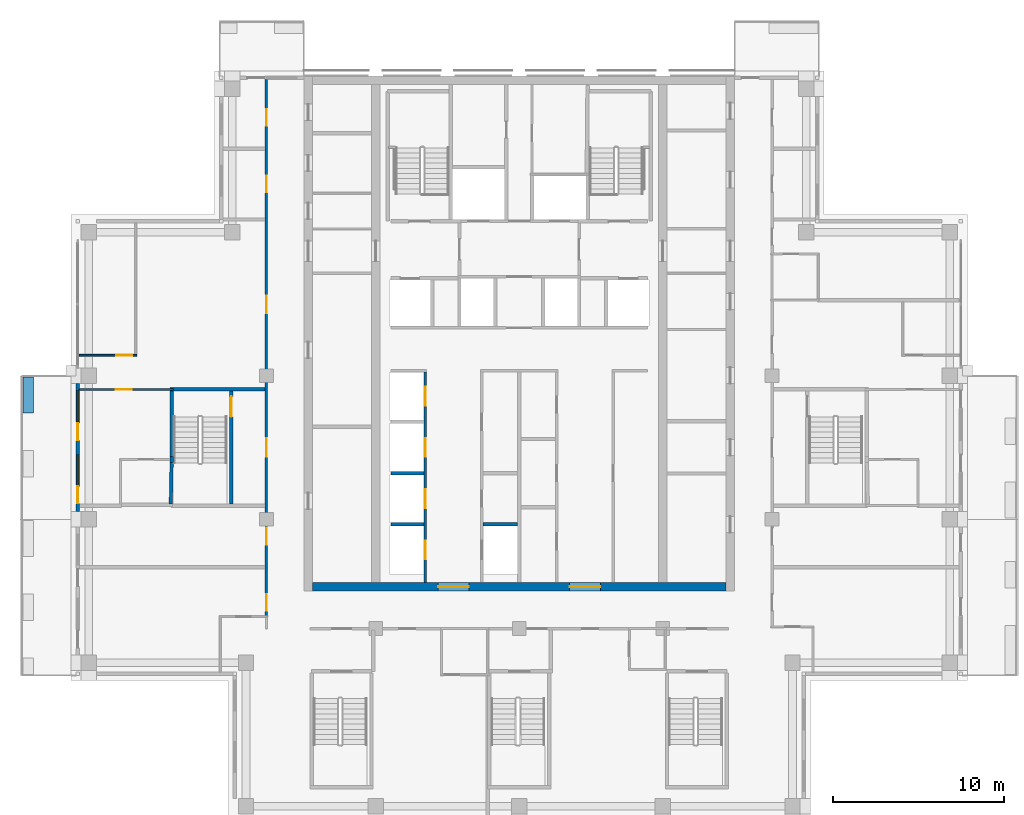
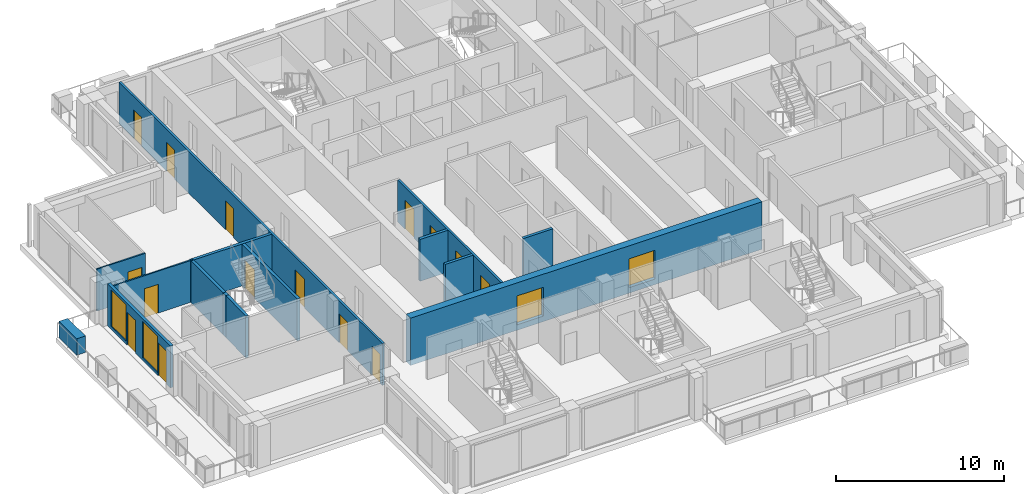
# One storey, part 9 of 17: 17 doors, 15 walls, 2 windows, 19 openings.
"""IFC4 building model written with IfcOpenShell, lengths in metres."""

from ifc_helpers import new_model, si_unit, direction, frame, frame_2d, origin, place, context, subcontext, project, spatial, rectangle, extrude, material, layer, layer_set, type_object, element, fill, save


model = new_model("IFC4")

# Units and contexts
model_context = context("Model", 3, precision=1e-05, world=origin(), true_north=direction((0.0, 1.0)))
body_context = subcontext(model_context, "Body", "Model", "MODEL_VIEW")
ifc_project = project(units=[si_unit("LENGTHUNIT", "METRE"), si_unit("AREAUNIT", "SQUARE_METRE"), si_unit("VOLUMEUNIT", "CUBIC_METRE"), si_unit("PLANEANGLEUNIT", "RADIAN"), si_unit("MASSUNIT", "GRAM", prefix="KILO")], contexts=[model_context])

# Site, building, storey
site_placement = place(None, origin())
site = spatial("IfcSite", under=ifc_project, at=site_placement, CompositionType="ELEMENT")
building_placement = place(site_placement, origin())
building = spatial("IfcBuilding", under=site, at=building_placement, Name="Vermilion Ogive Tower", CompositionType="ELEMENT")
storey_placement = place(building_placement, frame((0.0, 0.0, 244.14990234375)))
storey = spatial("IfcBuildingStorey", under=building, at=storey_placement, Name="L64", CompositionType="ELEMENT", Elevation=244.14990234375)

# Wall, openings, doors
ifc_material_1 = material(Name="Concrete B60", Category="concrete")
ifc_layer_1 = layer(ifc_material_1, 0.5)
ifc_layer_set_1 = layer_set([ifc_layer_1], Name="Core wall 500 B60")
wall_type_1 = type_object("IfcWallType", Name="Core wall 500 B60", PredefinedType="SHEAR", material=ifc_layer_set_1)
wall_1_placement = place(storey_placement, frame((-12.10009765625, -8.14990234375, -0.39990234375), z_axis=(0.0, 0.0, 1.0), x_axis=(1.0, 0.0, 0.0)))
wall_1 = element("IfcWall", 1, at=wall_1_placement, inside=storey, type_object=wall_type_1, Name="L64-CORE-S", PredefinedType="SHEAR", context=body_context, shape_type="SweptSolid", body=[
    extrude(rectangle(XDim=24.2001953125, YDim=0.5, at=frame_2d((12.10009765625, 0.0))), origin(), (0.0, 0.0, 1.0), 3.449951171875),
])
opening_1_placement = place(wall_1_placement, frame((7.35009765625, 0.0, 0.39990234375)))
opening_1 = element("IfcOpeningElement", 2, at=opening_1_placement, cuts=wall_1, Name="Opening DAH051", PredefinedType="OPENING", context=body_context, shape_type="SweptSolid", body=[
    extrude(rectangle(XDim=1.800048828125, YDim=2.10009765625, at=frame_2d((0.89990234375, 1.050048828125))), frame((0.0, 0.260009765625, 0.0), z_axis=(0.0, -1.0, 0.0), x_axis=(1.0, 0.0, 0.0)), (0.0, 0.0, 1.0), 0.52001953125),
])
opening_2_placement = place(wall_1_placement, frame((15.050048828125, 0.0, 0.39990234375)))
opening_2 = element("IfcOpeningElement", 3, at=opening_2_placement, cuts=wall_1, Name="Opening DAH052", PredefinedType="OPENING", context=body_context, shape_type="SweptSolid", body=[
    extrude(rectangle(XDim=1.800048828125, YDim=2.10009765625, at=frame_2d((0.89990234375, 1.050048828125))), frame((0.0, 0.260009765625, 0.0), z_axis=(0.0, -1.0, 0.0), x_axis=(1.0, 0.0, 0.0)), (0.0, 0.0, 1.0), 0.52001953125),
])
ifc_material_2 = material(Name="Timber door leaf", Category="wood")
door_type_1 = type_object("IfcDoorType", Name="Core entry door 1800 x 2100 FD60S", OperationType="DOUBLE_DOOR_SINGLE_SWING", PredefinedType="DOOR", material=ifc_material_2)
door_1_placement = place(opening_1_placement, origin())
door_1 = element("IfcDoor", 4, at=door_1_placement, inside=storey, type_object=door_type_1, Name="L64-CK-XD1", OperationType="SINGLE_SWING_LEFT", OverallHeight=2.10009765625, OverallWidth=1.800048828125, PredefinedType="DOOR", context=body_context, shape_type="SweptSolid", body=[
    extrude(rectangle(XDim=1.800048828125, YDim=2.10009765625, at=frame_2d((0.89990234375, 1.050048828125))), frame((0.0, 0.02490234375, 0.0), z_axis=(0.0, -1.0, 0.0), x_axis=(1.0, 0.0, 0.0)), (0.0, 0.0, 1.0), 0.050048828125),
])
fill(opening_1, door_1)
door_2_placement = place(opening_2_placement, origin())
door_2 = element("IfcDoor", 5, at=door_2_placement, inside=storey, type_object=door_type_1, Name="L64-CK-XD2", OperationType="SINGLE_SWING_LEFT", OverallHeight=2.10009765625, OverallWidth=1.800048828125, PredefinedType="DOOR", context=body_context, shape_type="SweptSolid", body=[
    extrude(rectangle(XDim=1.800048828125, YDim=2.10009765625, at=frame_2d((0.89990234375, 1.050048828125))), frame((0.0, 0.02490234375, 0.0), z_axis=(0.0, -1.0, 0.0), x_axis=(1.0, 0.0, 0.0)), (0.0, 0.0, 1.0), 0.050048828125),
])
fill(opening_2, door_2)

# Wall, opening, door
ifc_material_3 = material(Name="Gypsum board partition on steel studs", Category="steel")
ifc_layer_2 = layer(ifc_material_3, 0.10009765625)
ifc_layer_set_2 = layer_set([ifc_layer_2], Name="Partition 100 inner")
wall_type_2 = type_object("IfcWallType", Name="Partition 100 inner", PredefinedType="PARTITIONING", material=ifc_layer_set_2)
wall_2_placement = place(storey_placement, frame((-25.75, 3.39990234375, 0.0), z_axis=(0.0, 0.0, 1.0), x_axis=(1.0, 0.0, 0.0)))
wall_2 = element("IfcWall", 6, at=wall_2_placement, inside=storey, type_object=wall_type_2, Name="L64-W-W024", PredefinedType="PARTITIONING", context=body_context, shape_type="SweptSolid", body=[
    extrude(rectangle(XDim=5.5, YDim=0.10009765625, at=frame_2d((2.75, 0.0))), origin(), (0.0, 0.0, 1.0), 3.050048828125),
])
opening_3_placement = place(wall_2_placement, frame((2.125, 0.0, 0.0)))
opening_3 = element("IfcOpeningElement", 7, at=opening_3_placement, cuts=wall_2, Name="Opening D5G3005", PredefinedType="OPENING", context=body_context, shape_type="SweptSolid", body=[
    extrude(rectangle(XDim=0.949951171875, YDim=2.10009765625, at=frame_2d((0.47509765625, 1.050048828125))), frame((0.0, 0.06005859375, 0.0), z_axis=(0.0, -1.0, 0.0), x_axis=(1.0, 0.0, 0.0)), (0.0, 0.0, 1.0), 0.1201171875),
])
ifc_material_4 = material(Name="Timber door leaf", Category="wood")
door_type_2 = type_object("IfcDoorType", Name="Inner door 950 x 2100 FD30", OperationType="SINGLE_SWING_LEFT", PredefinedType="DOOR", material=ifc_material_4)
door_3_placement = place(opening_3_placement, origin())
door_3 = element("IfcDoor", 8, at=door_3_placement, inside=storey, type_object=door_type_2, Name="L64-D-D005", OperationType="SINGLE_SWING_LEFT", OverallHeight=2.10009765625, OverallWidth=0.949951171875, PredefinedType="DOOR", context=body_context, shape_type="SweptSolid", body=[
    extrude(rectangle(XDim=0.949951171875, YDim=2.10009765625, at=frame_2d((0.47509765625, 1.050048828125))), frame((0.0, 0.02490234375, 0.0), z_axis=(0.0, -1.0, 0.0), x_axis=(1.0, 0.0, 0.0)), (0.0, 0.0, 1.0), 0.050048828125),
])
fill(opening_3, door_3)

wall_3_placement = place(storey_placement, frame((-25.75, 5.39990234375, 0.0), z_axis=(0.0, 0.0, 1.0), x_axis=(1.0, 0.0, 0.0)))
wall_3 = element("IfcWall", 9, at=wall_3_placement, inside=storey, type_object=wall_type_2, Name="L64-W-W028", PredefinedType="PARTITIONING", context=body_context, shape_type="SweptSolid", body=[
    extrude(rectangle(XDim=3.35009765625, YDim=0.10009765625, at=frame_2d((1.675048828125, 0.0))), origin(), (0.0, 0.0, 1.0), 3.050048828125),
])
opening_4_placement = place(wall_3_placement, frame((2.14990234375, 0.0, 0.0)))
opening_4 = element("IfcOpeningElement", 10, at=opening_4_placement, cuts=wall_3, Name="Opening D5G3003", PredefinedType="OPENING", context=body_context, shape_type="SweptSolid", body=[
    extrude(rectangle(XDim=0.949951171875, YDim=2.10009765625, at=frame_2d((0.47509765625, 1.050048828125))), frame((0.0, 0.06005859375, 0.0), z_axis=(0.0, -1.0, 0.0), x_axis=(1.0, 0.0, 0.0)), (0.0, 0.0, 1.0), 0.1201171875),
])
door_4_placement = place(opening_4_placement, origin())
door_4 = element("IfcDoor", 11, at=door_4_placement, inside=storey, type_object=door_type_2, Name="L64-D-D003", OperationType="SINGLE_SWING_RIGHT", OverallHeight=2.10009765625, OverallWidth=0.949951171875, PredefinedType="DOOR", context=body_context, shape_type="SweptSolid", body=[
    extrude(rectangle(XDim=0.949951171875, YDim=2.10009765625, at=frame_2d((0.47509765625, 1.050048828125))), frame((0.0, 0.02490234375, 0.0), z_axis=(0.0, -1.0, 0.0), x_axis=(1.0, 0.0, 0.0)), (0.0, 0.0, 1.0), 0.050048828125),
])
fill(opening_4, door_4)

# Wall, openings, doors
ifc_material_5 = material(Name="Gypsum board partition on steel studs", Category="steel")
ifc_layer_3 = layer(ifc_material_5, 0.14990234375)
ifc_layer_set_3 = layer_set([ifc_layer_3], Name="Partition 150 corridor")
wall_type_3 = type_object("IfcWallType", Name="Partition 150 corridor", PredefinedType="PARTITIONING", material=ifc_layer_set_3)
wall_4_placement = place(storey_placement, frame((-14.800048828125, -9.85009765625, 0.0), z_axis=(0.0, 0.0, 1.0), x_axis=(0.0, 1.0, 0.0)))
wall_4 = element("IfcWall", 12, at=wall_4_placement, inside=storey, type_object=wall_type_3, Name="L64-W-W044", PredefinedType="PARTITIONING", context=body_context, shape_type="SweptSolid", body=[
    extrude(rectangle(XDim=31.400146484375, YDim=0.14990234375, at=frame_2d((15.7001953125, 0.0))), origin(), (0.0, 0.0, 1.0), 3.050048828125),
])
opening_5_placement = place(wall_4_placement, frame((0.300048828125, 0.0, 0.0)))
opening_5 = element("IfcOpeningElement", 13, at=opening_5_placement, cuts=wall_4, Name="Opening D5G3001", PredefinedType="OPENING", context=body_context, shape_type="SweptSolid", body=[
    extrude(rectangle(XDim=0.949951171875, YDim=2.10009765625, at=frame_2d((0.47509765625, 1.050048828125))), frame((0.0, 0.0849609375, 0.0), z_axis=(0.0, -1.0, 0.0), x_axis=(1.0, 0.0, 0.0)), (0.0, 0.0, 1.0), 0.169921875),
])
opening_6_placement = place(wall_4_placement, frame((17.72509765625, 0.0, 0.0)))
opening_6 = element("IfcOpeningElement", 14, at=opening_6_placement, cuts=wall_4, Name="Opening D5G3004", PredefinedType="OPENING", context=body_context, shape_type="SweptSolid", body=[
    extrude(rectangle(XDim=1.0, YDim=2.10009765625, at=frame_2d((0.5, 1.050048828125))), frame((0.0, 0.0849609375, 0.0), z_axis=(0.0, -1.0, 0.0), x_axis=(1.0, 0.0, 0.0)), (0.0, 0.0, 1.0), 0.169921875),
])
opening_7_placement = place(wall_4_placement, frame((24.800048828125, 0.0, 0.0)))
opening_7 = element("IfcOpeningElement", 15, at=opening_7_placement, cuts=wall_4, Name="Opening D5G3007", PredefinedType="OPENING", context=body_context, shape_type="SweptSolid", body=[
    extrude(rectangle(XDim=0.949951171875, YDim=2.10009765625, at=frame_2d((0.47509765625, 1.050048828125))), frame((0.0, 0.0849609375, 0.0), z_axis=(0.0, -1.0, 0.0), x_axis=(1.0, 0.0, 0.0)), (0.0, 0.0, 1.0), 0.169921875),
])
opening_8_placement = place(wall_4_placement, frame((28.7001953125, 0.0, 0.0)))
opening_8 = element("IfcOpeningElement", 16, at=opening_8_placement, cuts=wall_4, Name="Opening D5G3008", PredefinedType="OPENING", context=body_context, shape_type="SweptSolid", body=[
    extrude(rectangle(XDim=0.949951171875, YDim=2.10009765625, at=frame_2d((0.47509765625, 1.050048828125))), frame((0.0, 0.0849609375, 0.0), z_axis=(0.0, -1.0, 0.0), x_axis=(1.0, 0.0, 0.0)), (0.0, 0.0, 1.0), 0.169921875),
])
opening_9_placement = place(wall_4_placement, frame((9.300048828125, 0.0, 0.0)))
opening_9 = element("IfcOpeningElement", 17, at=opening_9_placement, cuts=wall_4, Name="Opening D5G3031", PredefinedType="OPENING", context=body_context, shape_type="SweptSolid", body=[
    extrude(rectangle(XDim=1.10009765625, YDim=2.10009765625, at=frame_2d((0.550048828125, 1.050048828125))), frame((0.0, 0.0849609375, 0.0), z_axis=(0.0, -1.0, 0.0), x_axis=(1.0, 0.0, 0.0)), (0.0, 0.0, 1.0), 0.169921875),
])
opening_10_placement = place(wall_4_placement, frame((4.150146484375, 0.0, 0.0)))
opening_10 = element("IfcOpeningElement", 18, at=opening_10_placement, cuts=wall_4, Name="Opening D5G3033", PredefinedType="OPENING", context=body_context, shape_type="SweptSolid", body=[
    extrude(rectangle(XDim=1.0, YDim=2.10009765625, at=frame_2d((0.5, 1.050048828125))), frame((0.0, 0.0849609375, 0.0), z_axis=(0.0, -1.0, 0.0), x_axis=(1.0, 0.0, 0.0)), (0.0, 0.0, 1.0), 0.169921875),
])
ifc_material_6 = material(Name="Timber door leaf", Category="wood")
door_type_3 = type_object("IfcDoorType", Name="Stair door 1100 x 2100 FD60S", OperationType="SINGLE_SWING_LEFT", PredefinedType="DOOR", material=ifc_material_6)
door_5_placement = place(opening_9_placement, origin())
door_5 = element("IfcDoor", 19, at=door_5_placement, inside=storey, type_object=door_type_3, Name="L64-D-D031", OperationType="SINGLE_SWING_RIGHT", OverallHeight=2.10009765625, OverallWidth=1.10009765625, PredefinedType="DOOR", context=body_context, shape_type="SweptSolid", body=[
    extrude(rectangle(XDim=1.10009765625, YDim=2.10009765625, at=frame_2d((0.550048828125, 1.050048828125))), frame((0.0, 0.02490234375, 0.0), z_axis=(0.0, -1.0, 0.0), x_axis=(1.0, 0.0, 0.0)), (0.0, 0.0, 1.0), 0.050048828125),
])
fill(opening_9, door_5)
ifc_material_7 = material(Name="Timber door leaf", Category="wood")
door_type_4 = type_object("IfcDoorType", Name="Unit door 1000 x 2100 FD30S", OperationType="SINGLE_SWING_LEFT", PredefinedType="DOOR", material=ifc_material_7)
door_6_placement = place(opening_6_placement, origin())
door_6 = element("IfcDoor", 20, at=door_6_placement, inside=storey, type_object=door_type_4, Name="L64-D-D004", OperationType="SINGLE_SWING_RIGHT", OverallHeight=2.10009765625, OverallWidth=1.0, PredefinedType="DOOR", context=body_context, shape_type="SweptSolid", body=[
    extrude(rectangle(XDim=1.0, YDim=2.10009765625, at=frame_2d((0.5, 1.050048828125))), frame((0.0, 0.02490234375, 0.0), z_axis=(0.0, -1.0, 0.0), x_axis=(1.0, 0.0, 0.0)), (0.0, 0.0, 1.0), 0.050048828125),
])
fill(opening_6, door_6)
door_7_placement = place(opening_10_placement, origin())
door_7 = element("IfcDoor", 21, at=door_7_placement, inside=storey, type_object=door_type_4, Name="L64-D-D033", OperationType="SINGLE_SWING_LEFT", OverallHeight=2.10009765625, OverallWidth=1.0, PredefinedType="DOOR", context=body_context, shape_type="SweptSolid", body=[
    extrude(rectangle(XDim=1.0, YDim=2.10009765625, at=frame_2d((0.5, 1.050048828125))), frame((0.0, 0.02490234375, 0.0), z_axis=(0.0, -1.0, 0.0), x_axis=(1.0, 0.0, 0.0)), (0.0, 0.0, 1.0), 0.050048828125),
])
fill(opening_10, door_7)
ifc_material_8 = material(Name="Timber door leaf", Category="wood")
door_type_5 = type_object("IfcDoorType", Name="Unit door 950 x 2100 FD30S", OperationType="SINGLE_SWING_LEFT", PredefinedType="DOOR", material=ifc_material_8)
door_8_placement = place(opening_5_placement, origin())
door_8 = element("IfcDoor", 22, at=door_8_placement, inside=storey, type_object=door_type_5, Name="L64-D-D001", OperationType="SINGLE_SWING_LEFT", OverallHeight=2.10009765625, OverallWidth=0.949951171875, PredefinedType="DOOR", context=body_context, shape_type="SweptSolid", body=[
    extrude(rectangle(XDim=0.949951171875, YDim=2.10009765625, at=frame_2d((0.47509765625, 1.050048828125))), frame((0.0, 0.02490234375, 0.0), z_axis=(0.0, -1.0, 0.0), x_axis=(1.0, 0.0, 0.0)), (0.0, 0.0, 1.0), 0.050048828125),
])
fill(opening_5, door_8)
door_9_placement = place(opening_7_placement, origin())
door_9 = element("IfcDoor", 23, at=door_9_placement, inside=storey, type_object=door_type_5, Name="L64-D-D007", OperationType="SINGLE_SWING_LEFT", OverallHeight=2.10009765625, OverallWidth=0.949951171875, PredefinedType="DOOR", context=body_context, shape_type="SweptSolid", body=[
    extrude(rectangle(XDim=0.949951171875, YDim=2.10009765625, at=frame_2d((0.47509765625, 1.050048828125))), frame((0.0, 0.02490234375, 0.0), z_axis=(0.0, -1.0, 0.0), x_axis=(1.0, 0.0, 0.0)), (0.0, 0.0, 1.0), 0.050048828125),
])
fill(opening_7, door_9)
door_10_placement = place(opening_8_placement, origin())
door_10 = element("IfcDoor", 24, at=door_10_placement, inside=storey, type_object=door_type_5, Name="L64-D-D008", OperationType="SINGLE_SWING_LEFT", OverallHeight=2.10009765625, OverallWidth=0.949951171875, PredefinedType="DOOR", context=body_context, shape_type="SweptSolid", body=[
    extrude(rectangle(XDim=0.949951171875, YDim=2.10009765625, at=frame_2d((0.47509765625, 1.050048828125))), frame((0.0, 0.02490234375, 0.0), z_axis=(0.0, -1.0, 0.0), x_axis=(1.0, 0.0, 0.0)), (0.0, 0.0, 1.0), 0.050048828125),
])
fill(opening_8, door_10)

wall_5_placement = place(storey_placement, frame((-5.5, -7.89892578125, 0.0), z_axis=(0.0, 0.0, 1.0), x_axis=(0.0, 1.0, 0.0)))
wall_5 = element("IfcWall", 25, at=wall_5_placement, inside=storey, type_object=wall_type_3, Name="L64-CK-W-W020", PredefinedType="PARTITIONING", context=body_context, shape_type="SweptSolid", body=[
    extrude(rectangle(XDim=12.323974609375, YDim=0.14990234375, at=frame_2d((6.162109375, 0.0))), origin(), (0.0, 0.0, 1.0), 3.050048828125),
])
opening_11_placement = place(wall_5_placement, frame((1.348876953125, 0.0, 0.0)))
opening_11 = element("IfcOpeningElement", 26, at=opening_11_placement, cuts=wall_5, Name="Opening DAA600", PredefinedType="OPENING", context=body_context, shape_type="SweptSolid", body=[
    extrude(rectangle(XDim=1.10009765625, YDim=2.10009765625, at=frame_2d((0.550048828125, 1.050048828125))), frame((0.0, 0.0849609375, 0.0), z_axis=(0.0, -1.0, 0.0), x_axis=(1.0, 0.0, 0.0)), (0.0, 0.0, 1.0), 0.169921875),
])
opening_12_placement = place(wall_5_placement, frame((4.348876953125, 0.0, 0.0)))
opening_12 = element("IfcOpeningElement", 27, at=opening_12_placement, cuts=wall_5, Name="Opening DAA601", PredefinedType="OPENING", context=body_context, shape_type="SweptSolid", body=[
    extrude(rectangle(XDim=1.10009765625, YDim=2.10009765625, at=frame_2d((0.550048828125, 1.050048828125))), frame((0.0, 0.0849609375, 0.0), z_axis=(0.0, -1.0, 0.0), x_axis=(1.0, 0.0, 0.0)), (0.0, 0.0, 1.0), 0.169921875),
])
opening_13_placement = place(wall_5_placement, frame((7.348876953125, 0.0, 0.0)))
opening_13 = element("IfcOpeningElement", 28, at=opening_13_placement, cuts=wall_5, Name="Opening DAA602", PredefinedType="OPENING", context=body_context, shape_type="SweptSolid", body=[
    extrude(rectangle(XDim=1.10009765625, YDim=2.10009765625, at=frame_2d((0.550048828125, 1.050048828125))), frame((0.0, 0.0849609375, 0.0), z_axis=(0.0, -1.0, 0.0), x_axis=(1.0, 0.0, 0.0)), (0.0, 0.0, 1.0), 0.169921875),
])
opening_14_placement = place(wall_5_placement, frame((10.348876953125, 0.0, 0.0)))
opening_14 = element("IfcOpeningElement", 29, at=opening_14_placement, cuts=wall_5, Name="Opening DAA603", PredefinedType="OPENING", context=body_context, shape_type="SweptSolid", body=[
    extrude(rectangle(XDim=1.10009765625, YDim=2.10009765625, at=frame_2d((0.550048828125, 1.050048828125))), frame((0.0, 0.0849609375, 0.0), z_axis=(0.0, -1.0, 0.0), x_axis=(1.0, 0.0, 0.0)), (0.0, 0.0, 1.0), 0.169921875),
])
ifc_material_9 = material(Name="Stainless steel", Category="steel")
door_type_6 = type_object("IfcDoorType", Name="Lift landing door 1100 x 2100", OperationType="SLIDING_TO_LEFT", PredefinedType="DOOR", material=ifc_material_9)
door_11_placement = place(opening_11_placement, origin())
door_11 = element("IfcDoor", 30, at=door_11_placement, inside=storey, type_object=door_type_6, Name="L64-CK-D-D001", OperationType="SLIDING_TO_LEFT", OverallHeight=2.10009765625, OverallWidth=1.10009765625, PredefinedType="DOOR", context=body_context, shape_type="SweptSolid", body=[
    extrude(rectangle(XDim=1.10009765625, YDim=2.10009765625, at=frame_2d((0.550048828125, 1.050048828125))), frame((0.0, 0.02490234375, 0.0), z_axis=(0.0, -1.0, 0.0), x_axis=(1.0, 0.0, 0.0)), (0.0, 0.0, 1.0), 0.050048828125),
])
fill(opening_11, door_11)
door_12_placement = place(opening_12_placement, origin())
door_12 = element("IfcDoor", 31, at=door_12_placement, inside=storey, type_object=door_type_6, Name="L64-CK-D-D002", OperationType="SLIDING_TO_LEFT", OverallHeight=2.10009765625, OverallWidth=1.10009765625, PredefinedType="DOOR", context=body_context, shape_type="SweptSolid", body=[
    extrude(rectangle(XDim=1.10009765625, YDim=2.10009765625, at=frame_2d((0.550048828125, 1.050048828125))), frame((0.0, 0.02490234375, 0.0), z_axis=(0.0, -1.0, 0.0), x_axis=(1.0, 0.0, 0.0)), (0.0, 0.0, 1.0), 0.050048828125),
])
fill(opening_12, door_12)
door_13_placement = place(opening_13_placement, origin())
door_13 = element("IfcDoor", 32, at=door_13_placement, inside=storey, type_object=door_type_6, Name="L64-CK-D-D003", OperationType="SLIDING_TO_LEFT", OverallHeight=2.10009765625, OverallWidth=1.10009765625, PredefinedType="DOOR", context=body_context, shape_type="SweptSolid", body=[
    extrude(rectangle(XDim=1.10009765625, YDim=2.10009765625, at=frame_2d((0.550048828125, 1.050048828125))), frame((0.0, 0.02490234375, 0.0), z_axis=(0.0, -1.0, 0.0), x_axis=(1.0, 0.0, 0.0)), (0.0, 0.0, 1.0), 0.050048828125),
])
fill(opening_13, door_13)
door_14_placement = place(opening_14_placement, origin())
door_14 = element("IfcDoor", 33, at=door_14_placement, inside=storey, type_object=door_type_6, Name="L64-CK-D-D004", OperationType="SLIDING_TO_LEFT", OverallHeight=2.10009765625, OverallWidth=1.10009765625, PredefinedType="DOOR", context=body_context, shape_type="SweptSolid", body=[
    extrude(rectangle(XDim=1.10009765625, YDim=2.10009765625, at=frame_2d((0.550048828125, 1.050048828125))), frame((0.0, 0.02490234375, 0.0), z_axis=(0.0, -1.0, 0.0), x_axis=(1.0, 0.0, 0.0)), (0.0, 0.0, 1.0), 0.050048828125),
])
fill(opening_14, door_14)

# Walls
ifc_material_10 = material(Name="Gypsum board partition on steel studs", Category="steel")
ifc_layer_4 = layer(ifc_material_10, 0.199951171875)
ifc_layer_set_4 = layer_set([ifc_layer_4], Name="Partition 200 party")
wall_type_4 = type_object("IfcWallType", Name="Partition 200 party", PredefinedType="PARTITIONING", material=ifc_layer_set_4)
wall_6_placement = place(storey_placement, frame((-7.5, -4.5, 0.0), z_axis=(0.0, 0.0, 1.0), x_axis=(1.0, 0.0, 0.0)))
element("IfcWall", 34, at=wall_6_placement, inside=storey, type_object=wall_type_4, Name="L64-CK-W-W001", PredefinedType="PARTITIONING", context=body_context, shape_type="SweptSolid", body=[
    extrude(rectangle(XDim=1.925048828125, YDim=0.199951171875, at=frame_2d((0.96240234375, 0.0))), origin(), (0.0, 0.0, 1.0), 3.050048828125),
])
wall_7_placement = place(storey_placement, frame((-2.125, -4.5, 0.0), z_axis=(0.0, 0.0, 1.0), x_axis=(1.0, 0.0, 0.0)))
element("IfcWall", 35, at=wall_7_placement, inside=storey, type_object=wall_type_4, Name="L64-CK-W-W002", PredefinedType="PARTITIONING", context=body_context, shape_type="SweptSolid", body=[
    extrude(rectangle(XDim=2.02490234375, YDim=0.199951171875, at=frame_2d((1.012451171875, 0.0))), origin(), (0.0, 0.0, 1.0), 3.050048828125),
])
wall_8_placement = place(storey_placement, frame((-7.5, -1.5, 0.0), z_axis=(0.0, 0.0, 1.0), x_axis=(1.0, 0.0, 0.0)))
element("IfcWall", 36, at=wall_8_placement, inside=storey, type_object=wall_type_4, Name="L64-CK-W-W004", PredefinedType="PARTITIONING", context=body_context, shape_type="SweptSolid", body=[
    extrude(rectangle(XDim=1.925048828125, YDim=0.199951171875, at=frame_2d((0.96240234375, 0.0))), origin(), (0.0, 0.0, 1.0), 3.050048828125),
])
ifc_material_11 = material(Name="Concrete B60", Category="concrete")
ifc_layer_5 = layer(ifc_material_11, 0.199951171875)
ifc_layer_set_5 = layer_set([ifc_layer_5], Name="Stair shaft wall 200 Concrete B60")
wall_type_5 = type_object("IfcWallType", Name="Stair shaft wall 200 Concrete B60", PredefinedType="SOLIDWALL", material=ifc_layer_set_5)
wall_9_placement = place(storey_placement, frame((-20.449951171875, 3.39990234375, 0.0), z_axis=(0.0, 0.0, 1.0), x_axis=(1.0, 0.0, 0.0)))
element("IfcWall", 37, at=wall_9_placement, inside=storey, type_object=wall_type_5, Name="L64-W-W025", PredefinedType="SOLIDWALL", context=body_context, shape_type="SweptSolid", body=[
    extrude(rectangle(XDim=5.574951171875, YDim=0.199951171875, at=frame_2d((2.78759765625, 0.0))), origin(), (0.0, 0.0, 1.0), 3.050048828125),
])
wall_10_placement = place(storey_placement, frame((-20.400146484375, -3.300048828125, 0.0), z_axis=(0.0, 0.0, 1.0), x_axis=(0.019989976481, 0.999800180456, 0.0)))
element("IfcWall", 38, at=wall_10_placement, inside=storey, type_object=wall_type_5, Name="L64-W-W039", PredefinedType="SOLIDWALL", context=body_context, shape_type="SweptSolid", body=[
    extrude(rectangle(XDim=2.430419921875, YDim=0.199951171875, at=frame_2d((1.21533203125, 0.0))), origin(), (0.0, 0.0, 1.0), 3.050048828125),
])
wall_11_placement = place(storey_placement, frame((-20.35009765625, -0.52978515625, 0.0), z_axis=(0.0, 0.0, 1.0), x_axis=(0.0, 1.0, 0.0)))
element("IfcWall", 39, at=wall_11_placement, inside=storey, type_object=wall_type_5, Name="L64-W-W040", PredefinedType="SOLIDWALL", context=body_context, shape_type="SweptSolid", body=[
    extrude(rectangle(XDim=3.829833984375, YDim=0.199951171875, at=frame_2d((1.9150390625, 0.0))), origin(), (0.0, 0.0, 1.0), 3.050048828125),
])

# Wall, opening, door
wall_12_placement = place(storey_placement, frame((-16.85009765625, -3.300048828125, 0.0), z_axis=(0.0, 0.0, 1.0), x_axis=(0.0, 1.0, 0.0)))
wall_12 = element("IfcWall", 40, at=wall_12_placement, inside=storey, type_object=wall_type_5, Name="L64-W-W042", PredefinedType="SOLIDWALL", context=body_context, shape_type="SweptSolid", body=[
    extrude(rectangle(XDim=6.60009765625, YDim=0.199951171875, at=frame_2d((3.300048828125, 0.0))), origin(), (0.0, 0.0, 1.0), 3.050048828125),
])
opening_15_placement = place(wall_12_placement, frame((5.10009765625, 0.0, 0.0)))
opening_15 = element("IfcOpeningElement", 41, at=opening_15_placement, cuts=wall_12, Name="Opening D5G3032", PredefinedType="OPENING", context=body_context, shape_type="SweptSolid", body=[
    extrude(rectangle(XDim=1.199951171875, YDim=2.10009765625, at=frame_2d((0.60009765625, 1.050048828125))), frame((0.0, 0.10986328125, 0.0), z_axis=(0.0, -1.0, 0.0), x_axis=(1.0, 0.0, 0.0)), (0.0, 0.0, 1.0), 0.219970703125),
])
ifc_material_12 = material(Name="Timber door leaf", Category="wood")
door_type_7 = type_object("IfcDoorType", Name="Stair door 1200 x 2100 FD60S", OperationType="SINGLE_SWING_LEFT", PredefinedType="DOOR", material=ifc_material_12)
door_15_placement = place(opening_15_placement, origin())
door_15 = element("IfcDoor", 42, at=door_15_placement, inside=storey, type_object=door_type_7, Name="L64-D-D032", OperationType="SINGLE_SWING_RIGHT", OverallHeight=2.10009765625, OverallWidth=1.199951171875, PredefinedType="DOOR", context=body_context, shape_type="SweptSolid", body=[
    extrude(rectangle(XDim=1.199951171875, YDim=2.10009765625, at=frame_2d((0.60009765625, 1.050048828125))), frame((0.0, 0.02490234375, 0.0), z_axis=(0.0, -1.0, 0.0), x_axis=(1.0, 0.0, 0.0)), (0.0, 0.0, 1.0), 0.050048828125),
])
fill(opening_15, door_15)

# Walls
wall_13_placement = place(storey_placement, frame((-20.35009765625, -0.8701171875, 0.0), z_axis=(0.0, 0.0, 1.0), x_axis=(0.0, 1.0, 0.0)))
element("IfcWall", 43, at=wall_13_placement, inside=storey, type_object=wall_type_5, Name="L64-SW-ST9-W1", PredefinedType="SOLIDWALL", context=body_context, shape_type="SweptSolid", body=[
    extrude(rectangle(XDim=0.34033203125, YDim=0.199951171875, at=frame_2d((0.170166015625, 0.0))), origin(), (0.0, 0.0, 1.0), 3.050048828125),
])
ifc_material_13 = material(Name="Concrete B40", Category="concrete")
ifc_layer_6 = layer(ifc_material_13, 0.60009765625)
ifc_layer_set_6 = layer_set([ifc_layer_6], Name="Structural planter")
wall_type_6 = type_object("IfcWallType", Name="Structural planter", PredefinedType="USERDEFINED", material=ifc_layer_set_6)
wall_14_placement = place(storey_placement, frame((-28.75, 4.139892578125, -0.039794921875), z_axis=(0.0, 0.0, 1.0), x_axis=(0.0, -1.0, 0.0)))
element("IfcWall", 44, at=wall_14_placement, inside=storey, type_object=wall_type_6, Name="Planter W02A1", ObjectType="PLANTER", PredefinedType="USERDEFINED", context=body_context, shape_type="SweptSolid", body=[
    extrude(rectangle(XDim=2.114990234375, YDim=0.60009765625, at=frame_2d((1.0576171875, 0.0))), origin(), (0.0, 0.0, 1.0), 1.199951171875),
])

# Wall, openings, doors, windows
ifc_material_14 = material(Name="Aluminium window wall framing", Category="aluminium")
ifc_layer_7 = layer(ifc_material_14, 0.199951171875)
ifc_layer_set_7 = layer_set([ifc_layer_7], Name="Window wall")
wall_type_7 = type_object("IfcWallType", Name="Window wall", PredefinedType="STANDARD", material=ifc_layer_set_7)
wall_15_placement = place(storey_placement, frame((-25.85009765625, 3.75, 0.0), z_axis=(0.0, 0.0, 1.0), x_axis=(0.0, -1.0, 0.0)))
wall_15 = element("IfcWall", 45, at=wall_15_placement, inside=storey, type_object=wall_type_7, Name="Window wall W2", PredefinedType="STANDARD", context=body_context, shape_type="SweptSolid", body=[
    extrude(rectangle(XDim=7.5, YDim=0.199951171875, at=frame_2d((3.75, 0.0))), origin(), (0.0, 0.0, 1.0), 3.050048828125),
])
opening_16_placement = place(wall_15_placement, frame((4.175048828125, 0.0, 0.199951171875)))
opening_16 = element("IfcOpeningElement", 46, at=opening_16_placement, cuts=wall_15, Name="Opening W1-W99", PredefinedType="OPENING", context=body_context, shape_type="SweptSolid", body=[
    extrude(rectangle(XDim=1.800048828125, YDim=2.64990234375, at=frame_2d((0.89990234375, 1.324951171875))), frame((0.0, 0.10986328125, 0.0), z_axis=(0.0, -1.0, 0.0), x_axis=(1.0, 0.0, 0.0)), (0.0, 0.0, 1.0), 0.219970703125),
])
opening_17_placement = place(wall_15_placement, frame((6.02490234375, 0.0, 0.0)))
opening_17 = element("IfcOpeningElement", 47, at=opening_17_placement, cuts=wall_15, Name="Opening D1-W99", PredefinedType="OPENING", context=body_context, shape_type="SweptSolid", body=[
    extrude(rectangle(XDim=1.0, YDim=2.39990234375, at=frame_2d((0.5, 1.199951171875))), frame((0.0, 0.10986328125, 0.0), z_axis=(0.0, -1.0, 0.0), x_axis=(1.0, 0.0, 0.0)), (0.0, 0.0, 1.0), 0.219970703125),
])
opening_18_placement = place(wall_15_placement, frame((0.425048828125, 0.0, 0.199951171875)))
opening_18 = element("IfcOpeningElement", 48, at=opening_18_placement, cuts=wall_15, Name="Opening W1-W00", PredefinedType="OPENING", context=body_context, shape_type="SweptSolid", body=[
    extrude(rectangle(XDim=1.800048828125, YDim=2.64990234375, at=frame_2d((0.89990234375, 1.324951171875))), frame((0.0, 0.10986328125, 0.0), z_axis=(0.0, -1.0, 0.0), x_axis=(1.0, 0.0, 0.0)), (0.0, 0.0, 1.0), 0.219970703125),
])
opening_19_placement = place(wall_15_placement, frame((2.324951171875, 0.0, 0.0)))
opening_19 = element("IfcOpeningElement", 49, at=opening_19_placement, cuts=wall_15, Name="Opening D1-W00", PredefinedType="OPENING", context=body_context, shape_type="SweptSolid", body=[
    extrude(rectangle(XDim=1.0, YDim=2.39990234375, at=frame_2d((0.5, 1.199951171875))), frame((0.0, 0.10986328125, 0.0), z_axis=(0.0, -1.0, 0.0), x_axis=(1.0, 0.0, 0.0)), (0.0, 0.0, 1.0), 0.219970703125),
])
ifc_material_15 = material(Name="Aluminium framed glazed door", Category="aluminium")
door_type_8 = type_object("IfcDoorType", Name="Balcony door D1", OperationType="SINGLE_SWING_LEFT", PredefinedType="DOOR", material=ifc_material_15)
door_16_placement = place(opening_17_placement, origin())
door_16 = element("IfcDoor", 50, at=door_16_placement, inside=storey, type_object=door_type_8, Name="Balcony door W99", OperationType="SINGLE_SWING_LEFT", OverallHeight=2.39990234375, OverallWidth=1.0, PredefinedType="DOOR", context=body_context, shape_type="SweptSolid", body=[
    extrude(rectangle(XDim=1.0, YDim=2.39990234375, at=frame_2d((0.5, 1.199951171875))), frame((0.0, 0.02490234375, 0.0), z_axis=(0.0, -1.0, 0.0), x_axis=(1.0, 0.0, 0.0)), (0.0, 0.0, 1.0), 0.050048828125),
])
fill(opening_17, door_16)
door_17_placement = place(opening_19_placement, origin())
door_17 = element("IfcDoor", 51, at=door_17_placement, inside=storey, type_object=door_type_8, Name="Balcony door W00", OperationType="SINGLE_SWING_LEFT", OverallHeight=2.39990234375, OverallWidth=1.0, PredefinedType="DOOR", context=body_context, shape_type="SweptSolid", body=[
    extrude(rectangle(XDim=1.0, YDim=2.39990234375, at=frame_2d((0.5, 1.199951171875))), frame((0.0, 0.02490234375, 0.0), z_axis=(0.0, -1.0, 0.0), x_axis=(1.0, 0.0, 0.0)), (0.0, 0.0, 1.0), 0.050048828125),
])
fill(opening_19, door_17)
ifc_material_16 = material(Name="Aluminium framed double glazing", Category="aluminium")
window_type = type_object("IfcWindowType", Name="Guest window W1", PartitioningType="SINGLE_PANEL", PredefinedType="WINDOW", material=ifc_material_16)
window_1_placement = place(opening_16_placement, origin())
window_1 = element("IfcWindow", 52, at=window_1_placement, inside=storey, type_object=window_type, Name="Window W99", OverallHeight=2.64990234375, OverallWidth=1.800048828125, PartitioningType="SINGLE_PANEL", PredefinedType="WINDOW", context=body_context, shape_type="SweptSolid", body=[
    extrude(rectangle(XDim=1.800048828125, YDim=2.64990234375, at=frame_2d((0.89990234375, 1.324951171875))), frame((0.0, 0.030029296875, 0.0), z_axis=(0.0, -1.0, 0.0), x_axis=(1.0, 0.0, 0.0)), (0.0, 0.0, 1.0), 0.06005859375),
])
fill(opening_16, window_1)
window_2_placement = place(opening_18_placement, origin())
window_2 = element("IfcWindow", 53, at=window_2_placement, inside=storey, type_object=window_type, Name="Window W00", OverallHeight=2.64990234375, OverallWidth=1.800048828125, PartitioningType="SINGLE_PANEL", PredefinedType="WINDOW", context=body_context, shape_type="SweptSolid", body=[
    extrude(rectangle(XDim=1.800048828125, YDim=2.64990234375, at=frame_2d((0.89990234375, 1.324951171875))), frame((0.0, 0.030029296875, 0.0), z_axis=(0.0, -1.0, 0.0), x_axis=(1.0, 0.0, 0.0)), (0.0, 0.0, 1.0), 0.06005859375),
])
fill(opening_18, window_2)

save(model, "model.ifc")
